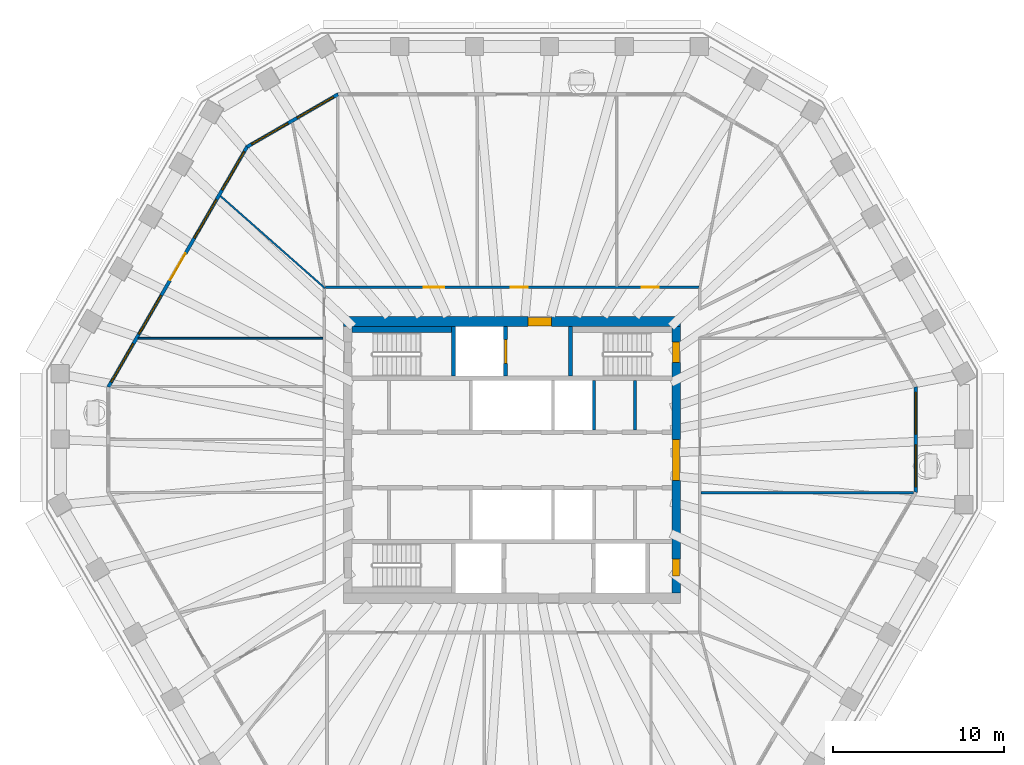
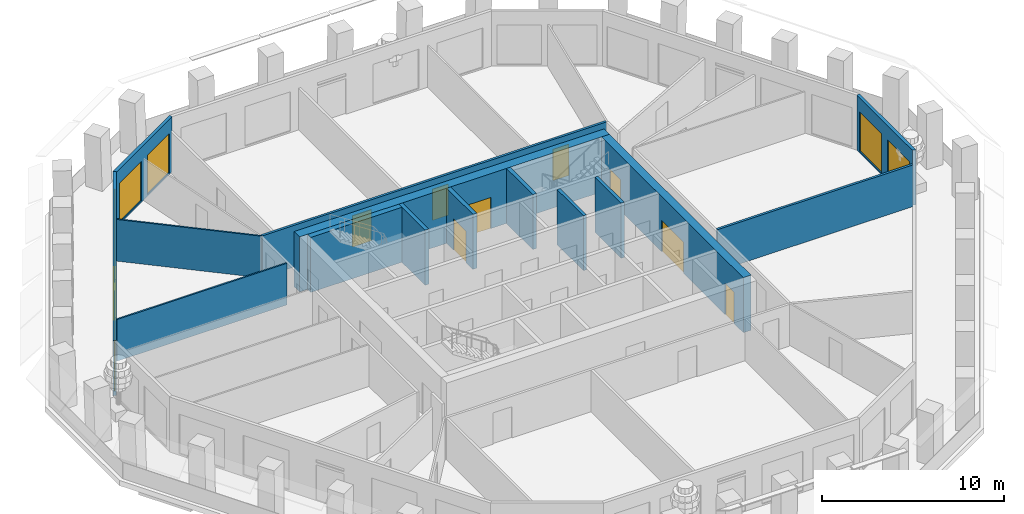
# One storey, part 6 of 12: 15 walls, 9 doors, 9 windows, 18 openings.
"""IFC4 building model written with IfcOpenShell, lengths in metres."""

from ifc_helpers import new_model, si_unit, direction, frame, frame_2d, origin, place, context, subcontext, project, spatial, polyline, rectangle, outline, extrude, material, layer, layer_set, type_object, element, fill, save


model = new_model("IFC4")

# Units and contexts
model_context = context("Model", 3, precision=1e-05, world=origin(), true_north=direction((0.0, 1.0)))
body_context = subcontext(model_context, "Body", "Model", "MODEL_VIEW")
ifc_project = project(units=[si_unit("LENGTHUNIT", "METRE"), si_unit("AREAUNIT", "SQUARE_METRE"), si_unit("VOLUMEUNIT", "CUBIC_METRE"), si_unit("PLANEANGLEUNIT", "RADIAN"), si_unit("MASSUNIT", "GRAM", prefix="KILO")], contexts=[model_context])

# Site, building, storey
site_placement = place(None, origin())
site = spatial("IfcSite", under=ifc_project, at=site_placement, CompositionType="ELEMENT")
building_placement = place(site_placement, origin())
building = spatial("IfcBuilding", under=site, at=building_placement, Name="Frailejon Research Tower", CompositionType="ELEMENT")
storey_placement = place(building_placement, frame((0.0, 0.0, 249.39990234375)))
storey = spatial("IfcBuildingStorey", under=building, at=storey_placement, Name="L54", CompositionType="ELEMENT", Elevation=249.39990234375)

# Wall, openings, doors
ifc_material_1 = material(Name="Concrete C60/75", Category="concrete")
ifc_layer_1 = layer(ifc_material_1, 0.5)
ifc_layer_set_1 = layer_set([ifc_layer_1], Name="Core shear wall 500 C60/75")
wall_type_1 = type_object("IfcWallType", Name="Core shear wall 500 C60/75", PredefinedType="SHEAR", material=ifc_layer_set_1)
wall_1_placement = place(storey_placement, frame((9.60009765625, -7.800048828125, 0.0), z_axis=(0.0, 0.0, 1.0), x_axis=(0.0, 1.0, 0.0)))
wall_1 = element("IfcWall", 1, at=wall_1_placement, inside=storey, type_object=wall_type_1, Name="Core shear wall", PredefinedType="SHEAR", context=body_context, shape_type="SweptSolid", body=[
    extrude(rectangle(XDim=15.60009765625, YDim=0.5, at=frame_2d((7.800048828125, 0.0))), origin(), (0.0, 0.0, 1.0), 3.7001953125),
])
opening_1_placement = place(wall_1_placement, frame((6.60009765625, 0.0, 0.0)))
opening_1 = element("IfcOpeningElement", 2, at=opening_1_placement, cuts=wall_1, Name="Opening D2", PredefinedType="OPENING", context=body_context, shape_type="SweptSolid", body=[
    extrude(rectangle(XDim=2.39990234375, YDim=2.10009765625, at=frame_2d((1.199951171875, 1.050048828125))), frame((0.0, 0.260009765625, 0.0), z_axis=(0.0, -1.0, 0.0), x_axis=(1.0, 0.0, 0.0)), (0.0, 0.0, 1.0), 0.52001953125),
])
opening_2_placement = place(wall_1_placement, frame((13.5, 0.0, 0.0)))
opening_2 = element("IfcOpeningElement", 3, at=opening_2_placement, cuts=wall_1, Name="Opening D1", PredefinedType="OPENING", context=body_context, shape_type="SweptSolid", body=[
    extrude(rectangle(XDim=1.199951171875, YDim=2.10009765625, at=frame_2d((0.60009765625, 1.050048828125))), frame((0.0, 0.260009765625, 0.0), z_axis=(0.0, -1.0, 0.0), x_axis=(1.0, 0.0, 0.0)), (0.0, 0.0, 1.0), 0.52001953125),
])
opening_3_placement = place(wall_1_placement, frame((1.0, 0.0, 0.0)))
opening_3 = element("IfcOpeningElement", 4, at=opening_3_placement, cuts=wall_1, Name="Opening D4", PredefinedType="OPENING", context=body_context, shape_type="SweptSolid", body=[
    extrude(rectangle(XDim=1.0, YDim=2.10009765625, at=frame_2d((0.5, 1.050048828125))), frame((0.0, 0.260009765625, 0.0), z_axis=(0.0, -1.0, 0.0), x_axis=(1.0, 0.0, 0.0)), (0.0, 0.0, 1.0), 0.52001953125),
])
ifc_material_2 = material(Name="Steel", Category="steel")
door_type_1 = type_object("IfcDoorType", Name="Lobby double door", OperationType="DOUBLE_DOOR_SINGLE_SWING", PredefinedType="DOOR", material=ifc_material_2)
door_1_placement = place(opening_1_placement, origin())
door_1 = element("IfcDoor", 5, at=door_1_placement, inside=storey, type_object=door_type_1, Name="Lobby door", OperationType="DOUBLE_DOOR_SINGLE_SWING", OverallHeight=2.10009765625, OverallWidth=2.39990234375, PredefinedType="DOOR", context=body_context, shape_type="SweptSolid", body=[
    extrude(rectangle(XDim=2.39990234375, YDim=2.10009765625, at=frame_2d((1.199951171875, 1.050048828125))), frame((0.0, 0.199951171875, 0.0), z_axis=(0.0, -1.0, 0.0), x_axis=(1.0, 0.0, 0.0)), (0.0, 0.0, 1.0), 0.39990234375),
])
fill(opening_1, door_1)
ifc_material_3 = material(Name="Steel", Category="steel")
door_type_2 = type_object("IfcDoorType", Name="Service door", OperationType="SINGLE_SWING_LEFT", PredefinedType="DOOR", material=ifc_material_3)
door_2_placement = place(opening_3_placement, origin())
door_2 = element("IfcDoor", 6, at=door_2_placement, inside=storey, type_object=door_type_2, Name="Riser door", OperationType="SINGLE_SWING_LEFT", OverallHeight=2.10009765625, OverallWidth=1.0, PredefinedType="DOOR", context=body_context, shape_type="SweptSolid", body=[
    extrude(rectangle(XDim=1.0, YDim=2.10009765625, at=frame_2d((0.5, 1.050048828125))), frame((0.0, 0.199951171875, 0.0), z_axis=(0.0, -1.0, 0.0), x_axis=(1.0, 0.0, 0.0)), (0.0, 0.0, 1.0), 0.39990234375),
])
fill(opening_3, door_2)
ifc_material_4 = material(Name="Steel", Category="steel")
door_type_3 = type_object("IfcDoorType", Name="Stair door", OperationType="SINGLE_SWING_LEFT", PredefinedType="DOOR", material=ifc_material_4)
door_3_placement = place(opening_2_placement, origin())
door_3 = element("IfcDoor", 7, at=door_3_placement, inside=storey, type_object=door_type_3, Name="Stair door ST3", OperationType="SINGLE_SWING_RIGHT", OverallHeight=2.10009765625, OverallWidth=1.199951171875, PredefinedType="DOOR", context=body_context, shape_type="SweptSolid", body=[
    extrude(rectangle(XDim=1.199951171875, YDim=2.10009765625, at=frame_2d((0.60009765625, 1.050048828125))), frame((0.0, 0.199951171875, 0.0), z_axis=(0.0, -1.0, 0.0), x_axis=(1.0, 0.0, 0.0)), (0.0, 0.0, 1.0), 0.39990234375),
])
fill(opening_2, door_3)

# Wall, opening, door
ifc_material_5 = material(Name="Concrete C60/75", Category="concrete")
ifc_layer_2 = layer(ifc_material_5, 0.60009765625)
ifc_layer_set_2 = layer_set([ifc_layer_2], Name="Core shear wall 600 C60/75")
wall_type_2 = type_object("IfcWallType", Name="Core shear wall 600 C60/75", PredefinedType="SHEAR", material=ifc_layer_set_2)
wall_2_placement = place(storey_placement, frame((-9.85009765625, 8.10009765625, 0.0), z_axis=(0.0, 0.0, 1.0), x_axis=(1.0, 0.0, 0.0)))
wall_2 = element("IfcWall", 8, at=wall_2_placement, inside=storey, type_object=wall_type_2, Name="Core shear wall", PredefinedType="SHEAR", context=body_context, shape_type="SweptSolid", body=[
    extrude(rectangle(XDim=19.7001953125, YDim=0.60009765625, at=frame_2d((9.85009765625, 0.0))), origin(), (0.0, 0.0, 1.0), 3.7001953125),
])
opening_4_placement = place(wall_2_placement, frame((10.77490234375, 0.0, 0.0)))
opening_4 = element("IfcOpeningElement", 9, at=opening_4_placement, cuts=wall_2, Name="Opening D9", PredefinedType="OPENING", context=body_context, shape_type="SweptSolid", body=[
    extrude(rectangle(XDim=1.39990234375, YDim=2.10009765625, at=frame_2d((0.699951171875, 1.050048828125))), frame((0.0, 0.31005859375, 0.0), z_axis=(0.0, -1.0, 0.0), x_axis=(1.0, 0.0, 0.0)), (0.0, 0.0, 1.0), 0.6201171875),
])
ifc_material_6 = material(Name="Steel", Category="steel")
door_type_4 = type_object("IfcDoorType", Name="Goods lobby door", OperationType="DOUBLE_DOOR_SINGLE_SWING", PredefinedType="DOOR", material=ifc_material_6)
door_4_placement = place(opening_4_placement, origin())
door_4 = element("IfcDoor", 10, at=door_4_placement, inside=storey, type_object=door_type_4, Name="Goods lobby door", OperationType="DOUBLE_DOOR_SINGLE_SWING", OverallHeight=2.10009765625, OverallWidth=1.39990234375, PredefinedType="DOOR", context=body_context, shape_type="SweptSolid", body=[
    extrude(rectangle(XDim=1.39990234375, YDim=2.10009765625, at=frame_2d((0.699951171875, 1.050048828125))), frame((0.0, 0.25, 0.0), z_axis=(0.0, -1.0, 0.0), x_axis=(1.0, 0.0, 0.0)), (0.0, 0.0, 1.0), 0.5),
])
fill(opening_4, door_4)

# Wall, openings, doors
ifc_material_7 = material(Name="Gypsum board and masonry partition", Category="masonry")
ifc_layer_3 = layer(ifc_material_7, 0.14990234375)
ifc_layer_set_3 = layer_set([ifc_layer_3], Name="Corridor wall EI 60, gypsum on steel studs 150")
wall_type_3 = type_object("IfcWallType", Name="Corridor wall EI 60, gypsum on steel studs 150", PredefinedType="PARTITIONING", material=ifc_layer_set_3)
wall_3_placement = place(storey_placement, frame((-10.925048828125, 10.10009765625, 0.0), z_axis=(0.0, 0.0, 1.0), x_axis=(1.0, 0.0, 0.0)))
wall_3 = element("IfcWall", 11, at=wall_3_placement, inside=storey, type_object=wall_type_3, Name="T:IW:L54:007", PredefinedType="PARTITIONING", context=body_context, shape_type="SweptSolid", body=[
    extrude(rectangle(XDim=21.875, YDim=0.14990234375, at=frame_2d((10.9375, 0.0))), origin(), (0.0, 0.0, 1.0), 2.800048828125),
])
opening_5_placement = place(wall_3_placement, frame((18.511474609375, 0.0, 0.0)))
opening_5 = element("IfcOpeningElement", 12, at=opening_5_placement, cuts=wall_3, Name="Opening D2054", PredefinedType="OPENING", context=body_context, shape_type="SweptSolid", body=[
    extrude(rectangle(XDim=1.0, YDim=2.10009765625, at=frame_2d((0.5, 1.050048828125))), frame((0.0, 0.0849609375, 0.0), z_axis=(0.0, -1.0, 0.0), x_axis=(1.0, 0.0, 0.0)), (0.0, 0.0, 1.0), 0.169921875),
])
opening_6_placement = place(wall_3_placement, frame((10.85009765625, 0.0, 0.0)))
opening_6 = element("IfcOpeningElement", 13, at=opening_6_placement, cuts=wall_3, Name="Opening D2055", PredefinedType="OPENING", context=body_context, shape_type="SweptSolid", body=[
    extrude(rectangle(XDim=1.0, YDim=2.10009765625, at=frame_2d((0.5, 1.050048828125))), frame((0.0, 0.0849609375, 0.0), z_axis=(0.0, -1.0, 0.0), x_axis=(1.0, 0.0, 0.0)), (0.0, 0.0, 1.0), 0.169921875),
])
opening_7_placement = place(wall_3_placement, frame((5.7666015625, 0.0, 0.0)))
opening_7 = element("IfcOpeningElement", 14, at=opening_7_placement, cuts=wall_3, Name="Opening D2056", PredefinedType="OPENING", context=body_context, shape_type="SweptSolid", body=[
    extrude(rectangle(XDim=1.199951171875, YDim=2.10009765625, at=frame_2d((0.60009765625, 1.050048828125))), frame((0.0, 0.0849609375, 0.0), z_axis=(0.0, -1.0, 0.0), x_axis=(1.0, 0.0, 0.0)), (0.0, 0.0, 1.0), 0.169921875),
])
ifc_material_8 = material(Name="Timber door leaf", Category="wood")
door_type_5 = type_object("IfcDoorType", Name="Door laboratory, timber, vision panel 1200", OperationType="NOTDEFINED", PredefinedType="DOOR", material=ifc_material_8)
door_5_placement = place(opening_7_placement, origin())
door_5 = element("IfcDoor", 15, at=door_5_placement, inside=storey, type_object=door_type_5, Name="D2056", OperationType="DOUBLE_DOOR_SINGLE_SWING", OverallHeight=2.10009765625, OverallWidth=1.199951171875, PredefinedType="DOOR", context=body_context, shape_type="SweptSolid", body=[
    extrude(rectangle(XDim=1.199951171875, YDim=2.10009765625, at=frame_2d((0.60009765625, 1.050048828125))), frame((0.0, 0.02490234375, 0.0), z_axis=(0.0, -1.0, 0.0), x_axis=(1.0, 0.0, 0.0)), (0.0, 0.0, 1.0), 0.050048828125),
])
fill(opening_7, door_5)
ifc_material_9 = material(Name="Timber door leaf", Category="wood")
door_type_6 = type_object("IfcDoorType", Name="Door single leaf, timber, steel frame 1000", OperationType="NOTDEFINED", PredefinedType="DOOR", material=ifc_material_9)
door_6_placement = place(opening_5_placement, origin())
door_6 = element("IfcDoor", 16, at=door_6_placement, inside=storey, type_object=door_type_6, Name="D2054", OperationType="SINGLE_SWING_RIGHT", OverallHeight=2.10009765625, OverallWidth=1.0, PredefinedType="DOOR", context=body_context, shape_type="SweptSolid", body=[
    extrude(rectangle(XDim=1.0, YDim=2.10009765625, at=frame_2d((0.5, 1.050048828125))), frame((0.0, 0.02490234375, 0.0), z_axis=(0.0, -1.0, 0.0), x_axis=(1.0, 0.0, 0.0)), (0.0, 0.0, 1.0), 0.050048828125),
])
fill(opening_5, door_6)
door_7_placement = place(opening_6_placement, origin())
door_7 = element("IfcDoor", 17, at=door_7_placement, inside=storey, type_object=door_type_6, Name="D2055", OperationType="SINGLE_SWING_LEFT", OverallHeight=2.10009765625, OverallWidth=1.0, PredefinedType="DOOR", context=body_context, shape_type="SweptSolid", body=[
    extrude(rectangle(XDim=1.0, YDim=2.10009765625, at=frame_2d((0.5, 1.050048828125))), frame((0.0, 0.02490234375, 0.0), z_axis=(0.0, -1.0, 0.0), x_axis=(1.0, 0.0, 0.0)), (0.0, 0.0, 1.0), 0.050048828125),
])
fill(opening_6, door_7)

# Walls
ifc_material_10 = material(Name="Gypsum board and masonry partition", Category="masonry")
ifc_layer_4 = layer(ifc_material_10, 0.14990234375)
ifc_layer_set_4 = layer_set([ifc_layer_4], Name="Laboratory partition, blockwork 150")
wall_type_4 = type_object("IfcWallType", Name="Laboratory partition, blockwork 150", PredefinedType="PARTITIONING", material=ifc_layer_set_4)
wall_4_placement = place(storey_placement, frame((11.074951171875, -1.9091796875, 0.0), z_axis=(0.0, 0.0, 1.0), x_axis=(1.0, 0.0, 0.0)))
element("IfcWall", 18, at=wall_4_placement, inside=storey, type_object=wall_type_4, Name="T:IW:L54:011", PredefinedType="PARTITIONING", context=body_context, shape_type="SweptSolid", body=[
    extrude(rectangle(XDim=12.41796875, YDim=0.14990234375, at=frame_2d((6.208984375, 0.0))), origin(), (0.0, 0.0, 1.0), 2.800048828125),
])
ifc_material_11 = material(Name="Gypsum board and masonry partition", Category="masonry")
ifc_layer_5 = layer(ifc_material_11, 0.10009765625)
ifc_layer_set_5 = layer_set([ifc_layer_5], Name="Partition, gypsum on steel studs 100")
wall_type_5 = type_object("IfcWallType", Name="Partition, gypsum on steel studs 100", PredefinedType="PARTITIONING", material=ifc_layer_set_5)
wall_5_placement = place(storey_placement, frame((-21.864990234375, 7.1171875, 0.0), z_axis=(0.0, 0.0, 1.0), x_axis=(1.0, 0.0, 0.0)))
element("IfcWall", 19, at=wall_5_placement, inside=storey, type_object=wall_type_5, Name="T:IW:L54:017", PredefinedType="PARTITIONING", context=body_context, shape_type="SweptSolid", body=[
    extrude(rectangle(XDim=10.7900390625, YDim=0.10009765625, at=frame_2d((5.39501953125, 0.0))), origin(), (0.0, 0.0, 1.0), 2.800048828125),
])
wall_6_placement = place(storey_placement, frame((-17.05859375, 15.44189453125, 0.0), z_axis=(0.0, 0.0, 1.0), x_axis=(0.75007988562, -0.661347234959, 0.0)))
element("IfcWall", 20, at=wall_6_placement, inside=storey, type_object=wall_type_5, Name="T:IW:L54:022", PredefinedType="PARTITIONING", context=body_context, shape_type="SweptSolid", body=[
    extrude(rectangle(XDim=8.15234375, YDim=0.10009765625, at=frame_2d((4.076171875, 0.0))), origin(), (0.0, 0.0, 1.0), 2.800048828125),
])
ifc_material_12 = material(Name="Concrete C60/75", Category="concrete")
ifc_layer_6 = layer(ifc_material_12, 0.199951171875)
ifc_layer_set_6 = layer_set([ifc_layer_6], Name="Shaft wall 200 C60/75")
wall_type_6 = type_object("IfcWallType", Name="Shaft wall 200 C60/75", PredefinedType="SOLIDWALL", material=ifc_layer_set_6)
for number, where, z_axis, x_axis, name in (
    (21, (4.800048828125, 1.75, 0.0), (0.0, 0.0, 1.0), (0.0, 1.0, 0.0), "Shaft wall"),
    (22, (7.199951171875, 1.75, 0.0), (0.0, 0.0, 1.0), (0.0, 1.0, 0.0), "Shaft wall"),
):
    element("IfcWall", number, at=place(storey_placement, frame(where, z_axis=z_axis, x_axis=x_axis)), inside=storey, type_object=wall_type_6, Name=name, PredefinedType="SOLIDWALL", context=body_context, shape_type="SweptSolid", body=[
        extrude(rectangle(XDim=2.89990234375, YDim=0.199951171875, at=frame_2d((1.449951171875, 0.0))), origin(), (0.0, 0.0, 1.0), 3.7001953125),
    ])
ifc_material_13 = material(Name="Concrete C60/75", Category="concrete")
ifc_layer_7 = layer(ifc_material_13, 0.25)
ifc_layer_set_7 = layer_set([ifc_layer_7], Name="Shaft wall 250 C60/75")
wall_type_7 = type_object("IfcWallType", Name="Shaft wall 250 C60/75", PredefinedType="SOLIDWALL", material=ifc_layer_set_7)
wall_7_placement = place(storey_placement, frame((-3.425048828125, 4.89990234375, 0.0), z_axis=(0.0, 0.0, 1.0), x_axis=(0.0, 1.0, 0.0)))
element("IfcWall", 23, at=wall_7_placement, inside=storey, type_object=wall_type_7, Name="Shaft wall", PredefinedType="SOLIDWALL", context=body_context, shape_type="SweptSolid", body=[
    extrude(rectangle(XDim=2.900146484375, YDim=0.25, at=frame_2d((1.4501953125, 0.0))), origin(), (0.0, 0.0, 1.0), 3.7001953125),
])

# Wall, opening, door
wall_8_placement = place(storey_placement, frame((-0.375, 4.89990234375, 0.0), z_axis=(0.0, 0.0, 1.0), x_axis=(0.0, 1.0, 0.0)))
wall_8 = element("IfcWall", 24, at=wall_8_placement, inside=storey, type_object=wall_type_7, Name="Shaft wall", PredefinedType="SOLIDWALL", context=body_context, shape_type="SweptSolid", body=[
    extrude(rectangle(XDim=2.900146484375, YDim=0.25, at=frame_2d((1.4501953125, 0.0))), origin(), (0.0, 0.0, 1.0), 3.7001953125),
])
opening_8_placement = place(wall_8_placement, frame((0.75, 0.0, 0.0)))
opening_8 = element("IfcOpeningElement", 25, at=opening_8_placement, cuts=wall_8, Name="Opening LD2", PredefinedType="OPENING", context=body_context, shape_type="SweptSolid", body=[
    extrude(rectangle(XDim=1.39990234375, YDim=2.10009765625, at=frame_2d((0.699951171875, 1.050048828125))), frame((0.0, 0.135009765625, 0.0), z_axis=(0.0, -1.0, 0.0), x_axis=(1.0, 0.0, 0.0)), (0.0, 0.0, 1.0), 0.27001953125),
])
ifc_material_14 = material(Name="Stainless steel", Category="steel")
door_type_7 = type_object("IfcDoorType", Name="Goods landing door", OperationType="DOUBLE_DOOR_SLIDING", PredefinedType="DOOR", material=ifc_material_14)
door_8_placement = place(opening_8_placement, origin())
door_8 = element("IfcDoor", 26, at=door_8_placement, inside=storey, type_object=door_type_7, Name="Lift landing door", OperationType="DOUBLE_DOOR_SLIDING", OverallHeight=2.10009765625, OverallWidth=1.39990234375, PredefinedType="DOOR", context=body_context, shape_type="SweptSolid", body=[
    extrude(rectangle(XDim=1.39990234375, YDim=2.10009765625, at=frame_2d((0.699951171875, 1.050048828125))), frame((0.0, 0.074951171875, 0.0), z_axis=(0.0, -1.0, 0.0), x_axis=(1.0, 0.0, 0.0)), (0.0, 0.0, 1.0), 0.14990234375),
])
fill(opening_8, door_8)

# Walls
wall_9_placement = place(storey_placement, frame((3.425048828125, 4.89990234375, 0.0), z_axis=(0.0, 0.0, 1.0), x_axis=(0.0, 1.0, 0.0)))
element("IfcWall", 27, at=wall_9_placement, inside=storey, type_object=wall_type_7, Name="Shaft wall", PredefinedType="SOLIDWALL", context=body_context, shape_type="SweptSolid", body=[
    extrude(rectangle(XDim=2.900146484375, YDim=0.25, at=frame_2d((1.4501953125, 0.0))), origin(), (0.0, 0.0, 1.0), 3.7001953125),
])
ifc_material_15 = material(Name="Concrete C60/75", Category="concrete")
ifc_layer_8 = layer(ifc_material_15, 0.35009765625)
ifc_layer_set_8 = layer_set([ifc_layer_8], Name="Shaft wall 350 C60/75")
wall_type_8 = type_object("IfcWallType", Name="Shaft wall 350 C60/75", PredefinedType="SOLIDWALL", material=ifc_layer_set_8)
wall_10_placement = place(storey_placement, frame((-9.35009765625, 7.625, 0.0), z_axis=(0.0, 0.0, 1.0), x_axis=(1.0, 0.0, 0.0)))
element("IfcWall", 28, at=wall_10_placement, inside=storey, type_object=wall_type_8, Name="Shaft wall", PredefinedType="SOLIDWALL", context=body_context, shape_type="SweptSolid", body=[
    extrude(rectangle(XDim=5.800048828125, YDim=0.35009765625, at=frame_2d((2.89990234375, 0.0))), origin(), (0.0, 0.0, 1.0), 3.7001953125),
])

# Wall, openings, windows
ifc_material_16 = material(Name="Concrete C40/50 precast window wall panel", Category="concrete")
ifc_layer_9 = layer(ifc_material_16, 0.199951171875)
ifc_layer_set_9 = layer_set([ifc_layer_9], Name="Window wall 200")
wall_type_9 = type_object("IfcWallType", Name="Window wall 200", PredefinedType="SOLIDWALL", material=ifc_layer_set_9)
wall_11_placement = place(storey_placement, frame((23.623779296875, -1.88232421875, 0.0), z_axis=(0.0, 0.0, 1.0), x_axis=(0.0, 1.0, 0.0)))
wall_11 = element("IfcWall", 29, at=wall_11_placement, inside=storey, type_object=wall_type_9, Name="Exterior wall L54", PredefinedType="SOLIDWALL", context=body_context, shape_type="SweptSolid", body=[
    extrude(outline(polyline([(-0.02685546875, -0.10009765625), (1.007568359375, -0.10009765625), (2.0419921875, -0.10009765625), (3.07666015625, -0.10009765625), (4.111083984375, -0.10009765625), (5.1455078125, -0.10009765625), (6.179931640625, -0.10009765625), (6.126220703125, 0.10009765625), (5.109619140625, 0.10009765625), (4.093017578125, 0.10009765625), (3.07666015625, 0.10009765625), (2.06005859375, 0.10009765625), (1.04345703125, 0.10009765625), (0.02685546875, 0.10009765625), (-0.02685546875, -0.10009765625)])), origin(), (0.0, 0.0, 1.0), 3.7001953125),
])
opening_9_placement = place(wall_11_placement, frame((0.313232421875, 0.0, 0.10009765625)))
opening_9 = element("IfcOpeningElement", 30, at=opening_9_placement, cuts=wall_11, Name="Opening W17", PredefinedType="OPENING", context=body_context, shape_type="SweptSolid", body=[
    extrude(rectangle(XDim=2.449951171875, YDim=2.64990234375, at=frame_2d((1.22509765625, 1.324951171875))), frame((0.0, 0.10986328125, 0.0), z_axis=(0.0, -1.0, 0.0), x_axis=(1.0, 0.0, 0.0)), (0.0, 0.0, 1.0), 0.219970703125),
])
opening_10_placement = place(wall_11_placement, frame((3.3896484375, 0.0, 0.10009765625)))
opening_10 = element("IfcOpeningElement", 31, at=opening_10_placement, cuts=wall_11, Name="Opening W17", PredefinedType="OPENING", context=body_context, shape_type="SweptSolid", body=[
    extrude(rectangle(XDim=2.449951171875, YDim=2.64990234375, at=frame_2d((1.22509765625, 1.324951171875))), frame((0.0, 0.10986328125, 0.0), z_axis=(0.0, -1.0, 0.0), x_axis=(1.0, 0.0, 0.0)), (0.0, 0.0, 1.0), 0.219970703125),
])
ifc_material_17 = material(Name="Aluminium framed double glazing", Category="aluminium")
window_type_1 = type_object("IfcWindowType", Name="Window 2450x2650", PartitioningType="SINGLE_PANEL", PredefinedType="WINDOW", material=ifc_material_17)
window_1_placement = place(opening_9_placement, origin())
window_1 = element("IfcWindow", 32, at=window_1_placement, inside=storey, type_object=window_type_1, Name="Window L54", OverallHeight=2.64990234375, OverallWidth=2.449951171875, PartitioningType="SINGLE_PANEL", PredefinedType="WINDOW", context=body_context, shape_type="SweptSolid", body=[
    extrude(rectangle(XDim=2.449951171875, YDim=2.64990234375, at=frame_2d((1.22509765625, 1.324951171875))), frame((0.0, 0.030029296875, 0.0), z_axis=(0.0, -1.0, 0.0), x_axis=(1.0, 0.0, 0.0)), (0.0, 0.0, 1.0), 0.06005859375),
])
fill(opening_9, window_1)
window_2_placement = place(opening_10_placement, origin())
window_2 = element("IfcWindow", 33, at=window_2_placement, inside=storey, type_object=window_type_1, Name="Window L54", OverallHeight=2.64990234375, OverallWidth=2.449951171875, PartitioningType="SINGLE_PANEL", PredefinedType="WINDOW", context=body_context, shape_type="SweptSolid", body=[
    extrude(rectangle(XDim=2.449951171875, YDim=2.64990234375, at=frame_2d((1.22509765625, 1.324951171875))), frame((0.0, 0.030029296875, 0.0), z_axis=(0.0, -1.0, 0.0), x_axis=(1.0, 0.0, 0.0)), (0.0, 0.0, 1.0), 0.06005859375),
])
fill(opening_10, window_2)

wall_12_placement = place(storey_placement, frame((-10.181884765625, 21.39990234375, 0.0), z_axis=(0.0, 0.0, 1.0), x_axis=(-0.866029647142, -0.499992650217, 0.0)))
wall_12 = element("IfcWall", 34, at=wall_12_placement, inside=storey, type_object=wall_type_9, Name="Exterior wall L54", PredefinedType="SOLIDWALL", context=body_context, shape_type="SweptSolid", body=[
    extrude(outline(polyline([(-0.02685546875, -0.10009765625), (1.007568359375, -0.10009765625), (2.0419921875, -0.10009765625), (3.076416015625, -0.10009765625), (4.11083984375, -0.10009765625), (5.145263671875, -0.10009765625), (6.1796875, -0.10009765625), (6.1259765625, 0.10009765625), (5.109375, 0.10009765625), (4.093017578125, 0.10009765625), (3.076416015625, 0.10009765625), (2.059814453125, 0.10009765625), (1.04345703125, 0.10009765625), (0.02685546875, 0.10009765625), (-0.02685546875, -0.10009765625)])), origin(), (0.0, 0.0, 1.0), 3.7001953125),
])
opening_11_placement = place(wall_12_placement, frame((0.313232421875, 0.0, 0.10009765625)))
opening_11 = element("IfcOpeningElement", 35, at=opening_11_placement, cuts=wall_12, Name="Opening W17", PredefinedType="OPENING", context=body_context, shape_type="SweptSolid", body=[
    extrude(rectangle(XDim=2.449951171875, YDim=2.64990234375, at=frame_2d((1.22509765625, 1.324951171875))), frame((0.0, 0.10986328125, 0.0), z_axis=(0.0, -1.0, 0.0), x_axis=(1.0, 0.0, 0.0)), (0.0, 0.0, 1.0), 0.219970703125),
])
opening_12_placement = place(wall_12_placement, frame((3.3896484375, 0.0, 0.10009765625)))
opening_12 = element("IfcOpeningElement", 36, at=opening_12_placement, cuts=wall_12, Name="Opening W17", PredefinedType="OPENING", context=body_context, shape_type="SweptSolid", body=[
    extrude(rectangle(XDim=2.449951171875, YDim=2.64990234375, at=frame_2d((1.22509765625, 1.324951171875))), frame((0.0, 0.10986328125, 0.0), z_axis=(0.0, -1.0, 0.0), x_axis=(1.0, 0.0, 0.0)), (0.0, 0.0, 1.0), 0.219970703125),
])
window_3_placement = place(opening_11_placement, origin())
window_3 = element("IfcWindow", 37, at=window_3_placement, inside=storey, type_object=window_type_1, Name="Window L54", OverallHeight=2.64990234375, OverallWidth=2.449951171875, PartitioningType="SINGLE_PANEL", PredefinedType="WINDOW", context=body_context, shape_type="SweptSolid", body=[
    extrude(rectangle(XDim=2.449951171875, YDim=2.64990234375, at=frame_2d((1.22509765625, 1.324951171875))), frame((0.0, 0.030029296875, 0.0), z_axis=(0.0, -1.0, 0.0), x_axis=(1.0, 0.0, 0.0)), (0.0, 0.0, 1.0), 0.06005859375),
])
fill(opening_11, window_3)
window_4_placement = place(opening_12_placement, origin())
window_4 = element("IfcWindow", 38, at=window_4_placement, inside=storey, type_object=window_type_1, Name="Window L54", OverallHeight=2.64990234375, OverallWidth=2.449951171875, PartitioningType="SINGLE_PANEL", PredefinedType="WINDOW", context=body_context, shape_type="SweptSolid", body=[
    extrude(rectangle(XDim=2.449951171875, YDim=2.64990234375, at=frame_2d((1.22509765625, 1.324951171875))), frame((0.0, 0.030029296875, 0.0), z_axis=(0.0, -1.0, 0.0), x_axis=(1.0, 0.0, 0.0)), (0.0, 0.0, 1.0), 0.06005859375),
])
fill(opening_12, window_4)

# Wall, openings, door, windows
wall_13_placement = place(storey_placement, frame((-15.510498046875, 18.323486328125, 0.0), z_axis=(0.0, 0.0, 1.0), x_axis=(-0.499996823547, -0.866027237703, 0.0)))
wall_13 = element("IfcWall", 39, at=wall_13_placement, inside=storey, type_object=wall_type_9, Name="Exterior wall L54", PredefinedType="SOLIDWALL", context=body_context, shape_type="SweptSolid", body=[
    extrude(outline(polyline([(-0.02685546875, -0.10009765625), (0.99072265625, -0.10009765625), (2.00830078125, -0.10009765625), (3.025634765625, -0.10009765625), (4.043212890625, -0.10009765625), (5.060791015625, -0.10009765625), (6.078125, -0.10009765625), (7.095703125, -0.10009765625), (8.11328125, -0.10009765625), (9.130859375, -0.10009765625), (10.1484375, -0.10009765625), (11.165771484375, -0.10009765625), (12.183349609375, -0.10009765625), (13.200927734375, -0.10009765625), (14.21826171875, -0.10009765625), (15.23583984375, -0.10009765625), (16.25341796875, -0.10009765625), (16.19970703125, 0.10009765625), (15.18896484375, 0.10009765625), (14.17822265625, 0.10009765625), (13.167236328125, 0.10009765625), (12.156494140625, 0.10009765625), (11.145751953125, 0.10009765625), (10.134765625, 0.10009765625), (9.1240234375, 0.10009765625), (8.11328125, 0.10009765625), (7.1025390625, 0.10009765625), (6.091796875, 0.10009765625), (5.080810546875, 0.10009765625), (4.070068359375, 0.10009765625), (3.059326171875, 0.10009765625), (2.04833984375, 0.10009765625), (1.03759765625, 0.10009765625), (0.02685546875, 0.10009765625), (-0.02685546875, -0.10009765625)])), origin(), (0.0, 0.0, 1.0), 3.7001953125),
])
opening_13_placement = place(wall_13_placement, frame((0.32275390625, 0.0, 0.10009765625)))
opening_13 = element("IfcOpeningElement", 40, at=opening_13_placement, cuts=wall_13, Name="Opening W18", PredefinedType="OPENING", context=body_context, shape_type="SweptSolid", body=[
    extrude(rectangle(XDim=2.60009765625, YDim=2.64990234375, at=frame_2d((1.300048828125, 1.324951171875))), frame((0.0, 0.10986328125, 0.0), z_axis=(0.0, -1.0, 0.0), x_axis=(1.0, 0.0, 0.0)), (0.0, 0.0, 1.0), 0.219970703125),
])
opening_14_placement = place(wall_13_placement, frame((3.568115234375, 0.0, 0.10009765625)))
opening_14 = element("IfcOpeningElement", 41, at=opening_14_placement, cuts=wall_13, Name="Opening W18", PredefinedType="OPENING", context=body_context, shape_type="SweptSolid", body=[
    extrude(rectangle(XDim=2.60009765625, YDim=2.64990234375, at=frame_2d((1.300048828125, 1.324951171875))), frame((0.0, 0.10986328125, 0.0), z_axis=(0.0, -1.0, 0.0), x_axis=(1.0, 0.0, 0.0)), (0.0, 0.0, 1.0), 0.219970703125),
])
opening_15_placement = place(wall_13_placement, frame((7.21337890625, 0.0, 0.0)))
opening_15 = element("IfcOpeningElement", 42, at=opening_15_placement, cuts=wall_13, Name="Opening LG54-3", PredefinedType="OPENING", context=body_context, shape_type="SweptSolid", body=[
    extrude(rectangle(XDim=1.800048828125, YDim=2.39990234375, at=frame_2d((0.89990234375, 1.199951171875))), frame((0.0, 0.10986328125, 0.0), z_axis=(0.0, -1.0, 0.0), x_axis=(1.0, 0.0, 0.0)), (0.0, 0.0, 1.0), 0.219970703125),
])
opening_16_placement = place(wall_13_placement, frame((7.21337890625, 0.0, 2.550048828125)))
opening_16 = element("IfcOpeningElement", 43, at=opening_16_placement, cuts=wall_13, Name="Opening W19", PredefinedType="OPENING", context=body_context, shape_type="SweptSolid", body=[
    extrude(rectangle(XDim=1.800048828125, YDim=0.199951171875, at=frame_2d((0.89990234375, 0.10009765625))), frame((0.0, 0.10986328125, 0.0), z_axis=(0.0, -1.0, 0.0), x_axis=(1.0, 0.0, 0.0)), (0.0, 0.0, 1.0), 0.219970703125),
])
opening_17_placement = place(wall_13_placement, frame((10.058837890625, 0.0, 0.10009765625)))
opening_17 = element("IfcOpeningElement", 44, at=opening_17_placement, cuts=wall_13, Name="Opening W18", PredefinedType="OPENING", context=body_context, shape_type="SweptSolid", body=[
    extrude(rectangle(XDim=2.60009765625, YDim=2.64990234375, at=frame_2d((1.300048828125, 1.324951171875))), frame((0.0, 0.10986328125, 0.0), z_axis=(0.0, -1.0, 0.0), x_axis=(1.0, 0.0, 0.0)), (0.0, 0.0, 1.0), 0.219970703125),
])
opening_18_placement = place(wall_13_placement, frame((13.30419921875, 0.0, 0.10009765625)))
opening_18 = element("IfcOpeningElement", 45, at=opening_18_placement, cuts=wall_13, Name="Opening W18", PredefinedType="OPENING", context=body_context, shape_type="SweptSolid", body=[
    extrude(rectangle(XDim=2.60009765625, YDim=2.64990234375, at=frame_2d((1.300048828125, 1.324951171875))), frame((0.0, 0.10986328125, 0.0), z_axis=(0.0, -1.0, 0.0), x_axis=(1.0, 0.0, 0.0)), (0.0, 0.0, 1.0), 0.219970703125),
])
ifc_material_18 = material(Name="Aluminium framed glazed door leaf", Category="aluminium")
door_type_8 = type_object("IfcDoorType", Name="Loggia door 1800x2400", OperationType="DOUBLE_DOOR_SINGLE_SWING", PredefinedType="DOOR", material=ifc_material_18)
door_9_placement = place(opening_15_placement, origin())
door_9 = element("IfcDoor", 46, at=door_9_placement, inside=storey, type_object=door_type_8, Name="Door LG54-3", OperationType="DOUBLE_DOOR_SINGLE_SWING", OverallHeight=2.39990234375, OverallWidth=1.800048828125, PredefinedType="DOOR", context=body_context, shape_type="SweptSolid", body=[
    extrude(rectangle(XDim=1.800048828125, YDim=2.39990234375, at=frame_2d((0.89990234375, 1.199951171875))), frame((0.0, 0.02490234375, 0.0), z_axis=(0.0, -1.0, 0.0), x_axis=(1.0, 0.0, 0.0)), (0.0, 0.0, 1.0), 0.050048828125),
])
fill(opening_15, door_9)
ifc_material_19 = material(Name="Aluminium framed double glazing", Category="aluminium")
window_type_2 = type_object("IfcWindowType", Name="Window 1800x200", PartitioningType="SINGLE_PANEL", PredefinedType="WINDOW", material=ifc_material_19)
window_5_placement = place(opening_16_placement, origin())
window_5 = element("IfcWindow", 47, at=window_5_placement, inside=storey, type_object=window_type_2, Name="Window L54", OverallHeight=0.199951171875, OverallWidth=1.800048828125, PartitioningType="SINGLE_PANEL", PredefinedType="WINDOW", context=body_context, shape_type="SweptSolid", body=[
    extrude(rectangle(XDim=1.800048828125, YDim=0.199951171875, at=frame_2d((0.89990234375, 0.10009765625))), frame((0.0, 0.030029296875, 0.0), z_axis=(0.0, -1.0, 0.0), x_axis=(1.0, 0.0, 0.0)), (0.0, 0.0, 1.0), 0.06005859375),
])
fill(opening_16, window_5)
ifc_material_20 = material(Name="Aluminium framed double glazing", Category="aluminium")
window_type_3 = type_object("IfcWindowType", Name="Window 2600x2650", PartitioningType="SINGLE_PANEL", PredefinedType="WINDOW", material=ifc_material_20)
window_6_placement = place(opening_13_placement, origin())
window_6 = element("IfcWindow", 48, at=window_6_placement, inside=storey, type_object=window_type_3, Name="Window L54", OverallHeight=2.64990234375, OverallWidth=2.60009765625, PartitioningType="SINGLE_PANEL", PredefinedType="WINDOW", context=body_context, shape_type="SweptSolid", body=[
    extrude(rectangle(XDim=2.60009765625, YDim=2.64990234375, at=frame_2d((1.300048828125, 1.324951171875))), frame((0.0, 0.030029296875, 0.0), z_axis=(0.0, -1.0, 0.0), x_axis=(1.0, 0.0, 0.0)), (0.0, 0.0, 1.0), 0.06005859375),
])
fill(opening_13, window_6)
window_7_placement = place(opening_14_placement, origin())
window_7 = element("IfcWindow", 49, at=window_7_placement, inside=storey, type_object=window_type_3, Name="Window L54", OverallHeight=2.64990234375, OverallWidth=2.60009765625, PartitioningType="SINGLE_PANEL", PredefinedType="WINDOW", context=body_context, shape_type="SweptSolid", body=[
    extrude(rectangle(XDim=2.60009765625, YDim=2.64990234375, at=frame_2d((1.300048828125, 1.324951171875))), frame((0.0, 0.030029296875, 0.0), z_axis=(0.0, -1.0, 0.0), x_axis=(1.0, 0.0, 0.0)), (0.0, 0.0, 1.0), 0.06005859375),
])
fill(opening_14, window_7)
window_8_placement = place(opening_17_placement, origin())
window_8 = element("IfcWindow", 50, at=window_8_placement, inside=storey, type_object=window_type_3, Name="Window L54", OverallHeight=2.64990234375, OverallWidth=2.60009765625, PartitioningType="SINGLE_PANEL", PredefinedType="WINDOW", context=body_context, shape_type="SweptSolid", body=[
    extrude(rectangle(XDim=2.60009765625, YDim=2.64990234375, at=frame_2d((1.300048828125, 1.324951171875))), frame((0.0, 0.030029296875, 0.0), z_axis=(0.0, -1.0, 0.0), x_axis=(1.0, 0.0, 0.0)), (0.0, 0.0, 1.0), 0.06005859375),
])
fill(opening_17, window_8)
window_9_placement = place(opening_18_placement, origin())
window_9 = element("IfcWindow", 51, at=window_9_placement, inside=storey, type_object=window_type_3, Name="Window L54", OverallHeight=2.64990234375, OverallWidth=2.60009765625, PartitioningType="SINGLE_PANEL", PredefinedType="WINDOW", context=body_context, shape_type="SweptSolid", body=[
    extrude(rectangle(XDim=2.60009765625, YDim=2.64990234375, at=frame_2d((1.300048828125, 1.324951171875))), frame((0.0, 0.030029296875, 0.0), z_axis=(0.0, -1.0, 0.0), x_axis=(1.0, 0.0, 0.0)), (0.0, 0.0, 1.0), 0.06005859375),
])
fill(opening_18, window_9)

save(model, "model.ifc")
